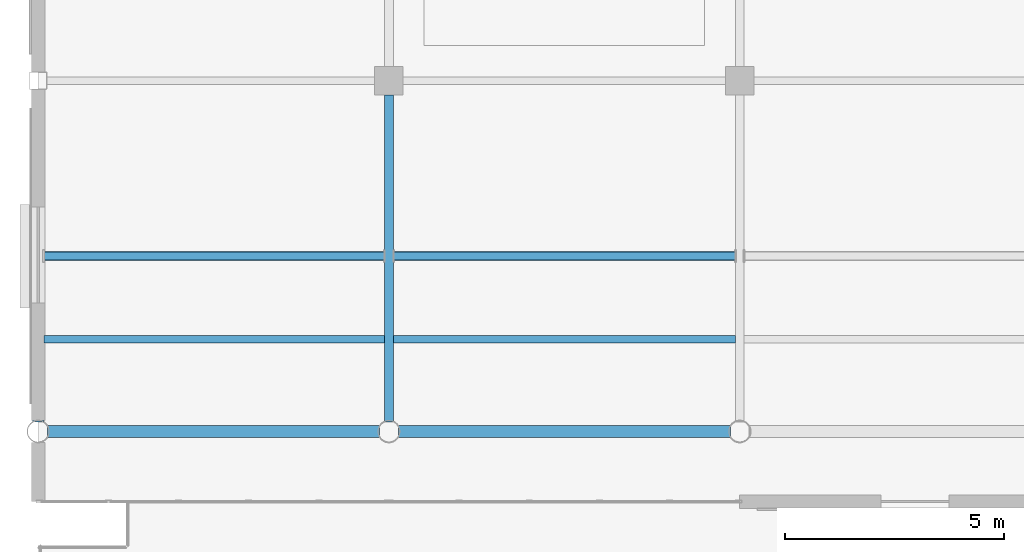
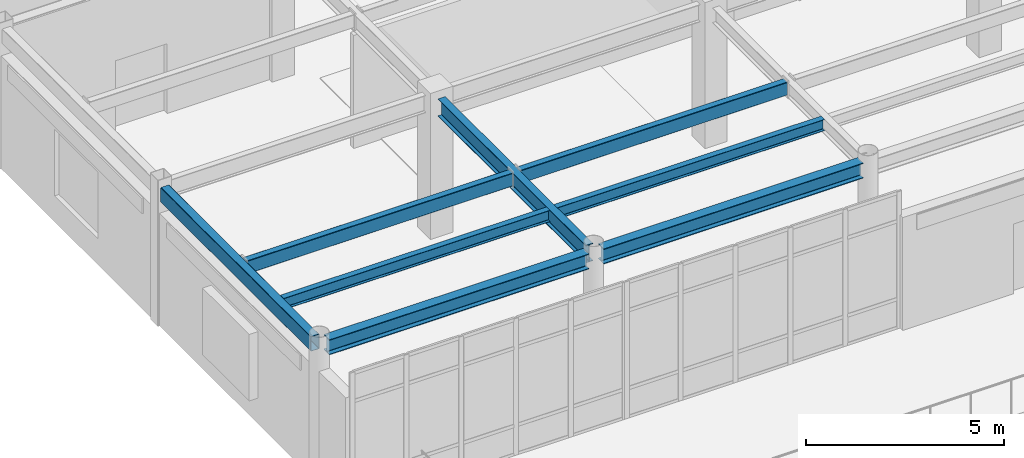
# One storey, part 34 of 93: 8 beams.
"""IFC4 building model written with IfcOpenShell, lengths in metres."""

from ifc_helpers import new_model, si_unit, direction, frame, origin, origin_2d, place, context, subcontext, project, spatial, hollow_rectangle, i_section, extrude, material, material_profile, profile_set, type_object, element, save


model = new_model("IFC4")

# Units and contexts
model_context = context("Model", 3, precision=1e-05, world=origin(), true_north=direction((0.0, 1.0)))
body_context = subcontext(model_context, "Body", "Model", "MODEL_VIEW")
ifc_project = project(units=[si_unit("LENGTHUNIT", "METRE"), si_unit("AREAUNIT", "SQUARE_METRE"), si_unit("VOLUMEUNIT", "CUBIC_METRE"), si_unit("PLANEANGLEUNIT", "RADIAN"), si_unit("MASSUNIT", "GRAM", prefix="KILO")], contexts=[model_context])

# Site, building, storey
site_placement = place(None, origin())
site = spatial("IfcSite", under=ifc_project, at=site_placement, CompositionType="ELEMENT")
building_placement = place(site_placement, origin())
building = spatial("IfcBuilding", under=site, at=building_placement, Name="Solmirada Galleria", CompositionType="ELEMENT")
storey_placement = place(building_placement, frame((0.0, 0.0, 14.89990234375)))
storey = spatial("IfcBuildingStorey", under=building, at=storey_placement, Name="L03", CompositionType="ELEMENT", Elevation=14.89990234375)

# Beams
ifc_material_1 = material(Name="Steel S355 / ASTM A992 Grade 50", Category="steel")
ifc_material_profile_1 = material_profile(ifc_material_1, i_section(OverallWidth=0.281982421875, OverallDepth=0.467041015625, WebThickness=0.01220703125, FlangeThickness=0.01953125, FilletRadius=0.013916015625, at=origin_2d()), Name="W18X86")
ifc_profile_set_1 = profile_set([ifc_material_profile_1], Name="Steel S355 / ASTM A992 Grade 50")
beam_type_1 = type_object("IfcBeamType", Name="BM-GIRD-W18A", PredefinedType="BEAM", material=ifc_profile_set_1)
for number, where, z_axis, x_axis, name in (
    (1, (40.21337890625, 88.0, 4.026611328125), (1.0, 0.0, 0.0), (0.0, 1.0, 0.0), "Primary beam L04 X(40..48, 88)"),
    (2, (48.21337890625, 88.0, 4.026611328125), (1.0, 0.0, 0.0), (0.0, 1.0, 0.0), "Primary beam L04 X(48..56, 88)"),
):
    element("IfcBeam", number, at=place(storey_placement, frame(where, z_axis=z_axis, x_axis=x_axis)), inside=storey, type_object=beam_type_1, Name=name, PredefinedType="BEAM", context=body_context, shape_type="SweptSolid", body=[
        extrude(i_section(OverallWidth=0.281982421875, OverallDepth=0.467041015625, WebThickness=0.01220703125, FlangeThickness=0.01953125, FilletRadius=0.013916015625, at=origin_2d()), origin(), (0.0, 0.0, 1.0), 7.5732421875),
    ])
ifc_material_profile_2 = material_profile(ifc_material_1, i_section(OverallWidth=0.2099609375, OverallDepth=0.537109375, WebThickness=0.010986328125, FlangeThickness=0.017333984375, FilletRadius=0.014892578125, at=origin_2d()), Name="W21X68")
ifc_profile_set_2 = profile_set([ifc_material_profile_2], Name="Steel S355 / ASTM A992 Grade 50")
beam_type_2 = type_object("IfcBeamType", Name="BM-GIRD-W21B", PredefinedType="BEAM", material=ifc_profile_set_2)
beam_1_placement = place(storey_placement, frame((48.0, 88.21337890625, 3.99169921875), z_axis=(0.0, 1.0, 0.0), x_axis=(-1.0, 0.0, 0.0)))
element("IfcBeam", 3, at=beam_1_placement, inside=storey, type_object=beam_type_2, Name="Primary girder L04 Y(48, 88..96)", PredefinedType="BEAM", context=body_context, shape_type="SweptSolid", body=[
    extrude(i_section(OverallWidth=0.2099609375, OverallDepth=0.537109375, WebThickness=0.010986328125, FlangeThickness=0.017333984375, FilletRadius=0.014892578125, at=origin_2d()), origin(), (0.0, 0.0, 1.0), 7.461669921875),
])
ifc_material_profile_3 = material_profile(ifc_material_1, i_section(OverallWidth=0.1708984375, OverallDepth=0.35205078125, WebThickness=0.0068359375, FlangeThickness=0.009765625, FilletRadius=0.010986328125, at=origin_2d()), Name="W14X30")
ifc_profile_set_3 = profile_set([ifc_material_profile_3], Name="Steel S355 / ASTM A992 Grade 50")
beam_type_3 = type_object("IfcBeamType", Name="BM-JST-W14B", PredefinedType="JOIST", material=ifc_profile_set_3)
beam_2_placement = place(storey_placement, frame((40.126953125, 90.10009765625, 4.083984375), z_axis=(1.0, 0.0, 0.0), x_axis=(0.0, 1.0, 0.0)))
element("IfcBeam", 4, at=beam_2_placement, inside=storey, type_object=beam_type_3, Name="Terrace deck joist L04-TERR-NW X=40..48 (2)", PredefinedType="JOIST", context=body_context, shape_type="SweptSolid", body=[
    extrude(i_section(OverallWidth=0.1708984375, OverallDepth=0.35205078125, WebThickness=0.0068359375, FlangeThickness=0.009765625, FilletRadius=0.010986328125, at=origin_2d()), origin(), (0.0, 0.0, 1.0), 7.76806640625),
])
beam_3_placement = place(storey_placement, frame((48.10498046875, 90.10009765625, 4.083984375), z_axis=(1.0, 0.0, 0.0), x_axis=(0.0, 1.0, 0.0)))
element("IfcBeam", 5, at=beam_3_placement, inside=storey, type_object=beam_type_3, Name="Terrace deck joist L04-TERR-NW X=48..56 (2)", PredefinedType="JOIST", context=body_context, shape_type="SweptSolid", body=[
    extrude(i_section(OverallWidth=0.1708984375, OverallDepth=0.35205078125, WebThickness=0.0068359375, FlangeThickness=0.009765625, FilletRadius=0.010986328125, at=origin_2d()), origin(), (0.0, 0.0, 1.0), 7.798095703125),
])
ifc_material_2 = material(Name="Steel S355 / ASTM A500 Grade C", Category="steel")
ifc_material_profile_4 = material_profile(ifc_material_2, hollow_rectangle(XDim=0.202880859375, YDim=0.406005859375, WallThickness=0.01171875, InnerFilletRadius=0.01171875, OuterFilletRadius=0.023681640625, at=origin_2d()), Name="HSS16X8X1/2")
ifc_profile_set_4 = profile_set([ifc_material_profile_4], Name="Steel S355 / ASTM A500 Grade C")
beam_type_4 = type_object("IfcBeamType", Name="BM-JST-W16B", PredefinedType="JOIST", material=ifc_profile_set_4)
beam_4_placement = place(storey_placement, frame((40.126953125, 92.0, 4.05712890625), z_axis=(1.0, 0.0, 0.0), x_axis=(0.0, 1.0, 0.0)))
element("IfcBeam", 6, at=beam_4_placement, inside=storey, type_object=beam_type_4, Name="Composite floor joist L04 (40..48, 92.0)", PredefinedType="JOIST", context=body_context, shape_type="SweptSolid", body=[
    extrude(hollow_rectangle(XDim=0.202880859375, YDim=0.406005859375, WallThickness=0.01171875, InnerFilletRadius=0.01171875, OuterFilletRadius=0.023681640625, at=origin_2d()), origin(), (0.0, 0.0, 1.0), 7.76806640625),
])
beam_5_placement = place(storey_placement, frame((48.10498046875, 92.0, 4.05712890625), z_axis=(1.0, 0.0, 0.0), x_axis=(0.0, 1.0, 0.0)))
element("IfcBeam", 7, at=beam_5_placement, inside=storey, type_object=beam_type_4, Name="Composite floor joist L04 (48..56, 92.0)", PredefinedType="JOIST", context=body_context, shape_type="SweptSolid", body=[
    extrude(hollow_rectangle(XDim=0.202880859375, YDim=0.406005859375, WallThickness=0.01171875, InnerFilletRadius=0.01171875, OuterFilletRadius=0.023681640625, at=origin_2d()), origin(), (0.0, 0.0, 1.0), 7.798095703125),
])
ifc_material_profile_5 = material_profile(ifc_material_2, hollow_rectangle(XDim=0.25390625, YDim=0.45703125, WallThickness=0.01171875, InnerFilletRadius=0.01171875, OuterFilletRadius=0.023681640625, at=origin_2d()), Name="HSS18X10X1/2")
ifc_profile_set_5 = profile_set([ifc_material_profile_5], Name="Steel S355 / ASTM A500 Grade C")
beam_type_5 = type_object("IfcBeamType", Name="BM-SPAND-W18", PredefinedType="SPANDREL", material=ifc_profile_set_5)
beam_6_placement = place(storey_placement, frame((40.0, 88.21337890625, 4.031494140625), z_axis=(0.0, 1.0, 0.0), x_axis=(-1.0, 0.0, 0.0)))
element("IfcBeam", 8, at=beam_6_placement, inside=storey, type_object=beam_type_5, Name="Primary girder L04 Y(40, 88..96)", PredefinedType="SPANDREL", context=body_context, shape_type="SweptSolid", body=[
    extrude(hollow_rectangle(XDim=0.25390625, YDim=0.45703125, WallThickness=0.01171875, InnerFilletRadius=0.01171875, OuterFilletRadius=0.023681640625, at=origin_2d()), origin(), (0.0, 0.0, 1.0), 7.583740234375),
])

save(model, "model.ifc")
